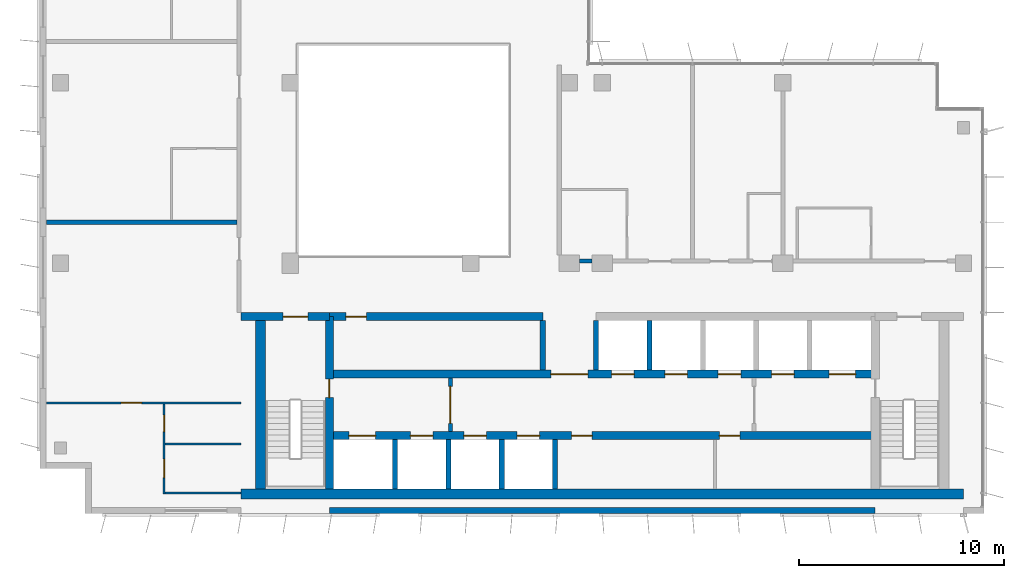
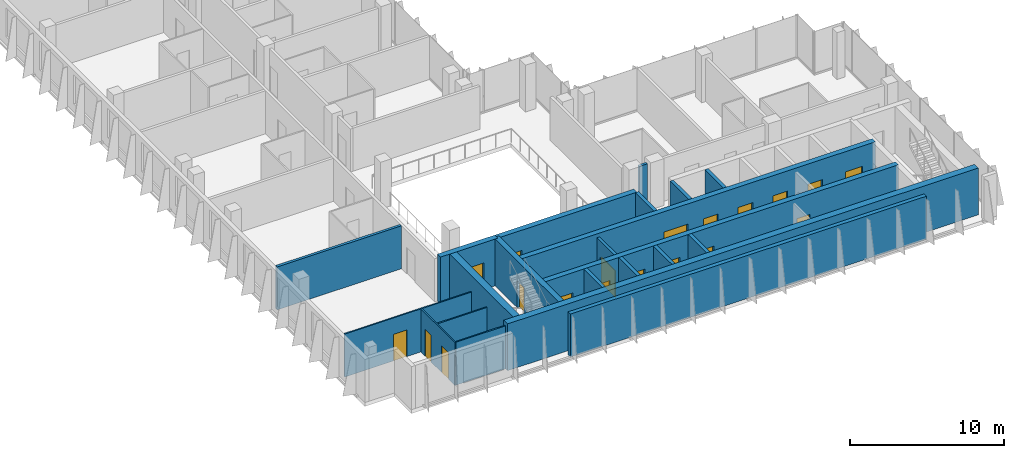
# One storey, part 9 of 15: 22 walls, 19 doors, 19 openings.
"""IFC4 building model written with IfcOpenShell, lengths in metres."""

from ifc_helpers import new_model, si_unit, direction, frame, frame_2d, origin, place, context, subcontext, project, spatial, rectangle, extrude, material, layer, layer_set, type_object, element, fill, save


model = new_model("IFC4")

# Units and contexts
model_context = context("Model", 3, precision=1e-05, world=origin(), true_north=direction((0.0, 1.0)))
body_context = subcontext(model_context, "Body", "Model", "MODEL_VIEW")
ifc_project = project(units=[si_unit("LENGTHUNIT", "METRE"), si_unit("AREAUNIT", "SQUARE_METRE"), si_unit("VOLUMEUNIT", "CUBIC_METRE"), si_unit("PLANEANGLEUNIT", "RADIAN"), si_unit("MASSUNIT", "GRAM", prefix="KILO")], contexts=[model_context])

# Site, building, storey
site_placement = place(None, origin())
site = spatial("IfcSite", under=ifc_project, at=site_placement, CompositionType="ELEMENT")
building_placement = place(site_placement, origin())
building = spatial("IfcBuilding", under=site, at=building_placement, Name="Kemantara Hotel Tower", CompositionType="ELEMENT")
storey_placement = place(building_placement, frame((0.0, 0.0, 268.5)))
storey = spatial("IfcBuildingStorey", under=building, at=storey_placement, Name="L67", CompositionType="ELEMENT", Elevation=268.5)

# Walls
ifc_material_1 = material(Name="Bronze anodised aluminium cladding on insulated steel stud wall", Category="steel")
ifc_layer_1 = layer(ifc_material_1, 0.300048828125)
ifc_layer_set_1 = layer_set([ifc_layer_1], Name="Bronze anodised aluminium cladding on insulated steel stud wall")
wall_type_1 = type_object("IfcWallType", Name="BRONZE METAL-CLAD EXTERNAL WALL 300", PredefinedType="STANDARD", material=ifc_layer_set_1)
wall_1_placement = place(storey_placement, frame((14.10009765625, 0.14990234375, 0.0), z_axis=(0.0, 0.0, 1.0), x_axis=(1.0, 0.0, 0.0)))
element("IfcWall", 1, at=wall_1_placement, inside=storey, type_object=wall_type_1, Name="EXTERNAL WALL L67 T4-R08-2", PredefinedType="STANDARD", context=body_context, shape_type="SweptSolid", body=[
    extrude(rectangle(XDim=26.599853515625, YDim=0.300048828125, at=frame_2d((13.2998046875, 0.0))), origin(), (0.0, 0.0, 1.0), 3.39990234375),
])
ifc_material_2 = material(Name="Concrete fc 50 MPa", Category="concrete")
ifc_layer_2 = layer(ifc_material_2, 0.25)
ifc_layer_set_2 = layer_set([ifc_layer_2], Name="Concrete fc 50 MPa")
wall_type_2 = type_object("IfcWallType", Name="CORE WALL 250 FC50", PredefinedType="SHEAR", material=ifc_layer_set_2)
for number, where, z_axis, x_axis, name in (
    (2, (17.300048828125, 1.199951171875, 0.0), (0.0, 0.0, 1.0), (0.0, 1.0, 0.0), "CORE WALL CW-DS17.3"),
    (3, (19.89990234375, 1.199951171875, 0.0), (0.0, 0.0, 1.0), (0.0, 1.0, 0.0), "CORE WALL CW-DS19.9"),
    (4, (22.5, 1.199951171875, 0.0), (0.0, 0.0, 1.0), (0.0, 1.0, 0.0), "CORE WALL CW-DS22.5"),
    (5, (25.10009765625, 1.199951171875, 0.0), (0.0, 0.0, 1.0), (0.0, 1.0, 0.0), "CORE WALL CW-DS25.1"),
):
    element("IfcWall", number, at=place(storey_placement, frame(where, z_axis=z_axis, x_axis=x_axis)), inside=storey, type_object=wall_type_2, Name=name, PredefinedType="SHEAR", context=body_context, shape_type="SweptSolid", body=[
        extrude(rectangle(XDim=2.400146484375, YDim=0.25, at=frame_2d((1.2001953125, 0.0))), origin(), (0.0, 0.0, 1.0), 3.699951171875),
    ])
for number, where, z_axis, x_axis, name in (
    (6, (24.5, 7.0, 0.0), (0.0, 0.0, 1.0), (0.0, 1.0, 0.0), "CORE WALL CW-DN24.5"),
    (7, (27.10009765625, 7.0, 0.0), (0.0, 0.0, 1.0), (0.0, 1.0, 0.0), "CORE WALL CW-DN27.1"),
    (8, (29.699951171875, 7.0, 0.0), (0.0, 0.0, 1.0), (0.0, 1.0, 0.0), "CORE WALL CW-DN29.7"),
):
    element("IfcWall", number, at=place(storey_placement, frame(where, z_axis=z_axis, x_axis=x_axis)), inside=storey, type_object=wall_type_2, Name=name, PredefinedType="SHEAR", context=body_context, shape_type="SweptSolid", body=[
        extrude(rectangle(XDim=2.39990234375, YDim=0.25, at=frame_2d((1.199951171875, 0.0))), origin(), (0.0, 0.0, 1.0), 3.699951171875),
    ])

# Wall, opening, door
ifc_layer_3 = layer(ifc_material_2, 0.39990234375)
ifc_layer_set_3 = layer_set([ifc_layer_3], Name="Concrete fc 50 MPa")
wall_type_3 = type_object("IfcWallType", Name="CORE WALL 400 FC50", PredefinedType="SHEAR", material=ifc_layer_set_3)
wall_2_placement = place(storey_placement, frame((9.800048828125, 9.60009765625, 0.0), z_axis=(0.0, 0.0, 1.0), x_axis=(1.0, 0.0, 0.0)))
wall_2 = element("IfcWall", 9, at=wall_2_placement, inside=storey, type_object=wall_type_3, Name="CORE WALL CW-N1", PredefinedType="SHEAR", context=body_context, shape_type="SweptSolid", body=[
    extrude(rectangle(XDim=4.300048828125, YDim=0.39990234375, at=frame_2d((2.14990234375, 0.0))), origin(), (0.0, 0.0, 1.0), 3.699951171875),
])
opening_1_placement = place(wall_2_placement, frame((2.050048828125, 0.0, 0.0)))
opening_1 = element("IfcOpeningElement", 10, at=opening_1_placement, cuts=wall_2, Name="Opening C39-ST1-C", PredefinedType="OPENING", context=body_context, shape_type="SweptSolid", body=[
    extrude(rectangle(XDim=1.199951171875, YDim=2.10009765625, at=frame_2d((0.60009765625, 1.050048828125))), frame((0.0, 0.2099609375, 0.0), z_axis=(0.0, -1.0, 0.0), x_axis=(1.0, 0.0, 0.0)), (0.0, 0.0, 1.0), 0.419921875),
])
ifc_material_3 = material(Name="Steel fire door", Category="steel")
door_type_1 = type_object("IfcDoorType", Name="Fire door FD90 1200 x 2100", OperationType="NOTDEFINED", PredefinedType="DOOR", material=ifc_material_3)
door_1_placement = place(opening_1_placement, frame((1.199951171875, 0.0, 0.0), z_axis=(0.0, 0.0, 1.0), x_axis=(-1.0, 0.0, 0.0)))
door_1 = element("IfcDoor", 11, at=door_1_placement, inside=storey, type_object=door_type_1, Name="Stair ST1 door to corridor", OperationType="SINGLE_SWING_LEFT", OverallHeight=2.10009765625, OverallWidth=1.199951171875, PredefinedType="DOOR", context=body_context, shape_type="SweptSolid", body=[
    extrude(rectangle(XDim=1.199951171875, YDim=2.10009765625, at=frame_2d((0.60009765625, 1.050048828125))), frame((0.0, 0.02490234375, 0.0), z_axis=(0.0, -1.0, 0.0), x_axis=(1.0, 0.0, 0.0)), (0.0, 0.0, 1.0), 0.050048828125),
])
fill(opening_1, door_1)

wall_3_placement = place(storey_placement, frame((14.10009765625, 9.60009765625, 0.0), z_axis=(0.0, 0.0, 1.0), x_axis=(1.0, 0.0, 0.0)))
wall_3 = element("IfcWall", 12, at=wall_3_placement, inside=storey, type_object=wall_type_3, Name="CORE WALL CW-NN1", PredefinedType="SHEAR", context=body_context, shape_type="SweptSolid", body=[
    extrude(rectangle(XDim=10.39990234375, YDim=0.39990234375, at=frame_2d((5.199951171875, 0.0))), origin(), (0.0, 0.0, 1.0), 3.699951171875),
])
opening_2_placement = place(wall_3_placement, frame((0.800048828125, 0.0, 0.0)))
opening_2 = element("IfcOpeningElement", 13, at=opening_2_placement, cuts=wall_3, Name="Opening C39-R-NW1", PredefinedType="OPENING", context=body_context, shape_type="SweptSolid", body=[
    extrude(rectangle(XDim=1.0, YDim=2.10009765625, at=frame_2d((0.5, 1.050048828125))), frame((0.0, 0.2099609375, 0.0), z_axis=(0.0, -1.0, 0.0), x_axis=(1.0, 0.0, 0.0)), (0.0, 0.0, 1.0), 0.419921875),
])
door_type_2 = type_object("IfcDoorType", Name="Fire door FD30S 1000 x 2100", OperationType="NOTDEFINED", PredefinedType="DOOR", material=ifc_material_3)
door_2_placement = place(opening_2_placement, frame((1.0, 0.0, 0.0), z_axis=(0.0, 0.0, 1.0), x_axis=(-1.0, 0.0, 0.0)))
door_2 = element("IfcDoor", 14, at=door_2_placement, inside=storey, type_object=door_type_2, Name="Housekeeping Store door", OperationType="SINGLE_SWING_RIGHT", OverallHeight=2.10009765625, OverallWidth=1.0, PredefinedType="DOOR", context=body_context, shape_type="SweptSolid", body=[
    extrude(rectangle(XDim=1.0, YDim=2.10009765625, at=frame_2d((0.5, 1.050048828125))), frame((0.0, 0.02490234375, 0.0), z_axis=(0.0, -1.0, 0.0), x_axis=(1.0, 0.0, 0.0)), (0.0, 0.0, 1.0), 0.050048828125),
])
fill(opening_2, door_2)

# Wall, openings, doors
wall_4_placement = place(storey_placement, frame((14.10009765625, 3.800048828125, 0.0), z_axis=(0.0, 0.0, 1.0), x_axis=(1.0, 0.0, 0.0)))
wall_4 = element("IfcWall", 15, at=wall_4_placement, inside=storey, type_object=wall_type_3, Name="CORE WALL CW-L1", PredefinedType="SHEAR", context=body_context, shape_type="SweptSolid", body=[
    extrude(rectangle(XDim=26.599853515625, YDim=0.39990234375, at=frame_2d((13.2998046875, 0.0))), origin(), (0.0, 0.0, 1.0), 3.699951171875),
])
opening_3_placement = place(wall_4_placement, frame((0.949951171875, 0.0, 0.0)))
opening_3 = element("IfcOpeningElement", 16, at=opening_3_placement, cuts=wall_4, Name="Opening C39-LD-FF1", PredefinedType="OPENING", context=body_context, shape_type="SweptSolid", body=[
    extrude(rectangle(XDim=1.300048828125, YDim=2.10009765625, at=frame_2d((0.64990234375, 1.050048828125))), frame((0.0, 0.2099609375, 0.0), z_axis=(0.0, -1.0, 0.0), x_axis=(1.0, 0.0, 0.0)), (0.0, 0.0, 1.0), 0.419921875),
])
opening_4_placement = place(wall_4_placement, frame((3.949951171875, 0.0, 0.0)))
opening_4 = element("IfcOpeningElement", 17, at=opening_4_placement, cuts=wall_4, Name="Opening C39-LD-SV1", PredefinedType="OPENING", context=body_context, shape_type="SweptSolid", body=[
    extrude(rectangle(XDim=1.10009765625, YDim=2.10009765625, at=frame_2d((0.550048828125, 1.050048828125))), frame((0.0, 0.2099609375, 0.0), z_axis=(0.0, -1.0, 0.0), x_axis=(1.0, 0.0, 0.0)), (0.0, 0.0, 1.0), 0.419921875),
])
opening_5_placement = place(wall_4_placement, frame((6.550048828125, 0.0, 0.0)))
opening_5 = element("IfcOpeningElement", 18, at=opening_5_placement, cuts=wall_4, Name="Opening C39-LD-SV2", PredefinedType="OPENING", context=body_context, shape_type="SweptSolid", body=[
    extrude(rectangle(XDim=1.10009765625, YDim=2.10009765625, at=frame_2d((0.550048828125, 1.050048828125))), frame((0.0, 0.2099609375, 0.0), z_axis=(0.0, -1.0, 0.0), x_axis=(1.0, 0.0, 0.0)), (0.0, 0.0, 1.0), 0.419921875),
])
opening_6_placement = place(wall_4_placement, frame((9.14990234375, 0.0, 0.0)))
opening_6 = element("IfcOpeningElement", 19, at=opening_6_placement, cuts=wall_4, Name="Opening C39-LD-SV3", PredefinedType="OPENING", context=body_context, shape_type="SweptSolid", body=[
    extrude(rectangle(XDim=1.10009765625, YDim=2.10009765625, at=frame_2d((0.550048828125, 1.050048828125))), frame((0.0, 0.2099609375, 0.0), z_axis=(0.0, -1.0, 0.0), x_axis=(1.0, 0.0, 0.0)), (0.0, 0.0, 1.0), 0.419921875),
])
opening_7_placement = place(wall_4_placement, frame((11.800048828125, 0.0, 0.0)))
opening_7 = element("IfcOpeningElement", 20, at=opening_7_placement, cuts=wall_4, Name="Opening C39-R-SM1", PredefinedType="OPENING", context=body_context, shape_type="SweptSolid", body=[
    extrude(rectangle(XDim=1.0, YDim=2.10009765625, at=frame_2d((0.5, 1.050048828125))), frame((0.0, 0.2099609375, 0.0), z_axis=(0.0, -1.0, 0.0), x_axis=(1.0, 0.0, 0.0)), (0.0, 0.0, 1.0), 0.419921875),
])
opening_8_placement = place(wall_4_placement, frame((19.0, 0.0, 0.0)))
opening_8 = element("IfcOpeningElement", 21, at=opening_8_placement, cuts=wall_4, Name="Opening C39-R-SM2", PredefinedType="OPENING", context=body_context, shape_type="SweptSolid", body=[
    extrude(rectangle(XDim=1.0, YDim=2.10009765625, at=frame_2d((0.5, 1.050048828125))), frame((0.0, 0.2099609375, 0.0), z_axis=(0.0, -1.0, 0.0), x_axis=(1.0, 0.0, 0.0)), (0.0, 0.0, 1.0), 0.419921875),
])
door_3_placement = place(opening_7_placement, frame((1.0, 0.0, 0.0), z_axis=(0.0, 0.0, 1.0), x_axis=(-1.0, 0.0, 0.0)))
door_3 = element("IfcDoor", 22, at=door_3_placement, inside=storey, type_object=door_type_2, Name="Staff Lounge door", OperationType="SINGLE_SWING_RIGHT", OverallHeight=2.10009765625, OverallWidth=1.0, PredefinedType="DOOR", context=body_context, shape_type="SweptSolid", body=[
    extrude(rectangle(XDim=1.0, YDim=2.10009765625, at=frame_2d((0.5, 1.050048828125))), frame((0.0, 0.02490234375, 0.0), z_axis=(0.0, -1.0, 0.0), x_axis=(1.0, 0.0, 0.0)), (0.0, 0.0, 1.0), 0.050048828125),
])
fill(opening_7, door_3)
door_4_placement = place(opening_8_placement, frame((1.0, 0.0, 0.0), z_axis=(0.0, 0.0, 1.0), x_axis=(-1.0, 0.0, 0.0)))
door_4 = element("IfcDoor", 23, at=door_4_placement, inside=storey, type_object=door_type_2, Name="Luggage Store door", OperationType="SINGLE_SWING_LEFT", OverallHeight=2.10009765625, OverallWidth=1.0, PredefinedType="DOOR", context=body_context, shape_type="SweptSolid", body=[
    extrude(rectangle(XDim=1.0, YDim=2.10009765625, at=frame_2d((0.5, 1.050048828125))), frame((0.0, 0.02490234375, 0.0), z_axis=(0.0, -1.0, 0.0), x_axis=(1.0, 0.0, 0.0)), (0.0, 0.0, 1.0), 0.050048828125),
])
fill(opening_8, door_4)
ifc_material_4 = material(Name="Stainless steel lift door", Category="steel")
door_type_3 = type_object("IfcDoorType", Name="Lift landing door 1100 x 2100 FD60", OperationType="DOUBLE_DOOR_SLIDING", PredefinedType="DOOR", material=ifc_material_4)
door_5_placement = place(opening_4_placement, origin())
door_5 = element("IfcDoor", 24, at=door_5_placement, inside=storey, type_object=door_type_3, Name="Lift SV1 landing door", OperationType="DOUBLE_DOOR_SLIDING", OverallHeight=2.10009765625, OverallWidth=1.10009765625, PredefinedType="DOOR", context=body_context, shape_type="SweptSolid", body=[
    extrude(rectangle(XDim=1.10009765625, YDim=2.10009765625, at=frame_2d((0.550048828125, 1.050048828125))), frame((0.0, 0.02490234375, 0.0), z_axis=(0.0, -1.0, 0.0), x_axis=(1.0, 0.0, 0.0)), (0.0, 0.0, 1.0), 0.050048828125),
])
fill(opening_4, door_5)
door_6_placement = place(opening_5_placement, origin())
door_6 = element("IfcDoor", 25, at=door_6_placement, inside=storey, type_object=door_type_3, Name="Lift SV2 landing door", OperationType="DOUBLE_DOOR_SLIDING", OverallHeight=2.10009765625, OverallWidth=1.10009765625, PredefinedType="DOOR", context=body_context, shape_type="SweptSolid", body=[
    extrude(rectangle(XDim=1.10009765625, YDim=2.10009765625, at=frame_2d((0.550048828125, 1.050048828125))), frame((0.0, 0.02490234375, 0.0), z_axis=(0.0, -1.0, 0.0), x_axis=(1.0, 0.0, 0.0)), (0.0, 0.0, 1.0), 0.050048828125),
])
fill(opening_5, door_6)
door_7_placement = place(opening_6_placement, origin())
door_7 = element("IfcDoor", 26, at=door_7_placement, inside=storey, type_object=door_type_3, Name="Lift SV3 landing door", OperationType="DOUBLE_DOOR_SLIDING", OverallHeight=2.10009765625, OverallWidth=1.10009765625, PredefinedType="DOOR", context=body_context, shape_type="SweptSolid", body=[
    extrude(rectangle(XDim=1.10009765625, YDim=2.10009765625, at=frame_2d((0.550048828125, 1.050048828125))), frame((0.0, 0.02490234375, 0.0), z_axis=(0.0, -1.0, 0.0), x_axis=(1.0, 0.0, 0.0)), (0.0, 0.0, 1.0), 0.050048828125),
])
fill(opening_6, door_7)
door_type_4 = type_object("IfcDoorType", Name="Lift landing door 1300 x 2100 FD90", OperationType="DOUBLE_DOOR_SLIDING", PredefinedType="DOOR", material=ifc_material_4)
door_8_placement = place(opening_3_placement, origin())
door_8 = element("IfcDoor", 27, at=door_8_placement, inside=storey, type_object=door_type_4, Name="Lift FF1 landing door", OperationType="DOUBLE_DOOR_SLIDING", OverallHeight=2.10009765625, OverallWidth=1.300048828125, PredefinedType="DOOR", context=body_context, shape_type="SweptSolid", body=[
    extrude(rectangle(XDim=1.300048828125, YDim=2.10009765625, at=frame_2d((0.64990234375, 1.050048828125))), frame((0.0, 0.02490234375, 0.0), z_axis=(0.0, -1.0, 0.0), x_axis=(1.0, 0.0, 0.0)), (0.0, 0.0, 1.0), 0.050048828125),
])
fill(opening_3, door_8)

wall_5_placement = place(storey_placement, frame((14.10009765625, 6.800048828125, 0.0), z_axis=(0.0, 0.0, 1.0), x_axis=(1.0, 0.0, 0.0)))
wall_5 = element("IfcWall", 28, at=wall_5_placement, inside=storey, type_object=wall_type_3, Name="CORE WALL CW-L2", PredefinedType="SHEAR", context=body_context, shape_type="SweptSolid", body=[
    extrude(rectangle(XDim=26.599853515625, YDim=0.39990234375, at=frame_2d((13.2998046875, 0.0))), origin(), (0.0, 0.0, 1.0), 3.699951171875),
])
opening_9_placement = place(wall_5_placement, frame((10.800048828125, 0.0, 0.0)))
opening_9 = element("IfcOpeningElement", 29, at=opening_9_placement, cuts=wall_5, Name="Opening C39-VL", PredefinedType="OPENING", context=body_context, shape_type="SweptSolid", body=[
    extrude(rectangle(XDim=1.800048828125, YDim=2.10009765625, at=frame_2d((0.89990234375, 1.050048828125))), frame((0.0, 0.2099609375, 0.0), z_axis=(0.0, -1.0, 0.0), x_axis=(1.0, 0.0, 0.0)), (0.0, 0.0, 1.0), 0.419921875),
])
opening_10_placement = place(wall_5_placement, frame((13.75, 0.0, 0.0)))
opening_10 = element("IfcOpeningElement", 30, at=opening_10_placement, cuts=wall_5, Name="Opening C39-LD-HR1", PredefinedType="OPENING", context=body_context, shape_type="SweptSolid", body=[
    extrude(rectangle(XDim=1.10009765625, YDim=2.10009765625, at=frame_2d((0.550048828125, 1.050048828125))), frame((0.0, 0.2099609375, 0.0), z_axis=(0.0, -1.0, 0.0), x_axis=(1.0, 0.0, 0.0)), (0.0, 0.0, 1.0), 0.419921875),
])
opening_11_placement = place(wall_5_placement, frame((16.35009765625, 0.0, 0.0)))
opening_11 = element("IfcOpeningElement", 31, at=opening_11_placement, cuts=wall_5, Name="Opening C39-LD-HR2", PredefinedType="OPENING", context=body_context, shape_type="SweptSolid", body=[
    extrude(rectangle(XDim=1.10009765625, YDim=2.10009765625, at=frame_2d((0.550048828125, 1.050048828125))), frame((0.0, 0.2099609375, 0.0), z_axis=(0.0, -1.0, 0.0), x_axis=(1.0, 0.0, 0.0)), (0.0, 0.0, 1.0), 0.419921875),
])
opening_12_placement = place(wall_5_placement, frame((18.949951171875, 0.0, 0.0)))
opening_12 = element("IfcOpeningElement", 32, at=opening_12_placement, cuts=wall_5, Name="Opening C39-LD-HR3", PredefinedType="OPENING", context=body_context, shape_type="SweptSolid", body=[
    extrude(rectangle(XDim=1.10009765625, YDim=2.10009765625, at=frame_2d((0.550048828125, 1.050048828125))), frame((0.0, 0.2099609375, 0.0), z_axis=(0.0, -1.0, 0.0), x_axis=(1.0, 0.0, 0.0)), (0.0, 0.0, 1.0), 0.419921875),
])
opening_13_placement = place(wall_5_placement, frame((21.550048828125, 0.0, 0.0)))
opening_13 = element("IfcOpeningElement", 33, at=opening_13_placement, cuts=wall_5, Name="Opening C39-LD-HR4", PredefinedType="OPENING", context=body_context, shape_type="SweptSolid", body=[
    extrude(rectangle(XDim=1.10009765625, YDim=2.10009765625, at=frame_2d((0.550048828125, 1.050048828125))), frame((0.0, 0.2099609375, 0.0), z_axis=(0.0, -1.0, 0.0), x_axis=(1.0, 0.0, 0.0)), (0.0, 0.0, 1.0), 0.419921875),
])
opening_14_placement = place(wall_5_placement, frame((24.35009765625, 0.0, 0.0)))
opening_14 = element("IfcOpeningElement", 34, at=opening_14_placement, cuts=wall_5, Name="Opening C39-LD-FF2", PredefinedType="OPENING", context=body_context, shape_type="SweptSolid", body=[
    extrude(rectangle(XDim=1.300048828125, YDim=2.10009765625, at=frame_2d((0.64990234375, 1.050048828125))), frame((0.0, 0.2099609375, 0.0), z_axis=(0.0, -1.0, 0.0), x_axis=(1.0, 0.0, 0.0)), (0.0, 0.0, 1.0), 0.419921875),
])
door_type_5 = type_object("IfcDoorType", Name="Fire door pair FD60 1800 x 2100", OperationType="DOUBLE_DOOR_SINGLE_SWING", PredefinedType="DOOR", material=ifc_material_3)
door_9_placement = place(opening_9_placement, frame((1.800048828125, 0.0, 0.0), z_axis=(0.0, 0.0, 1.0), x_axis=(-1.0, 0.0, 0.0)))
door_9 = element("IfcDoor", 35, at=door_9_placement, inside=storey, type_object=door_type_5, Name="Lift lobby entry door", OperationType="DOUBLE_DOOR_SINGLE_SWING", OverallHeight=2.10009765625, OverallWidth=1.800048828125, PredefinedType="DOOR", context=body_context, shape_type="SweptSolid", body=[
    extrude(rectangle(XDim=1.800048828125, YDim=2.10009765625, at=frame_2d((0.89990234375, 1.050048828125))), frame((0.0, 0.02490234375, 0.0), z_axis=(0.0, -1.0, 0.0), x_axis=(1.0, 0.0, 0.0)), (0.0, 0.0, 1.0), 0.050048828125),
])
fill(opening_9, door_9)
door_10_placement = place(opening_10_placement, origin())
door_10 = element("IfcDoor", 36, at=door_10_placement, inside=storey, type_object=door_type_3, Name="Lift HR1 landing door", OperationType="DOUBLE_DOOR_SLIDING", OverallHeight=2.10009765625, OverallWidth=1.10009765625, PredefinedType="DOOR", context=body_context, shape_type="SweptSolid", body=[
    extrude(rectangle(XDim=1.10009765625, YDim=2.10009765625, at=frame_2d((0.550048828125, 1.050048828125))), frame((0.0, 0.02490234375, 0.0), z_axis=(0.0, -1.0, 0.0), x_axis=(1.0, 0.0, 0.0)), (0.0, 0.0, 1.0), 0.050048828125),
])
fill(opening_10, door_10)
door_11_placement = place(opening_11_placement, origin())
door_11 = element("IfcDoor", 37, at=door_11_placement, inside=storey, type_object=door_type_3, Name="Lift HR2 landing door", OperationType="DOUBLE_DOOR_SLIDING", OverallHeight=2.10009765625, OverallWidth=1.10009765625, PredefinedType="DOOR", context=body_context, shape_type="SweptSolid", body=[
    extrude(rectangle(XDim=1.10009765625, YDim=2.10009765625, at=frame_2d((0.550048828125, 1.050048828125))), frame((0.0, 0.02490234375, 0.0), z_axis=(0.0, -1.0, 0.0), x_axis=(1.0, 0.0, 0.0)), (0.0, 0.0, 1.0), 0.050048828125),
])
fill(opening_11, door_11)
door_12_placement = place(opening_12_placement, origin())
door_12 = element("IfcDoor", 38, at=door_12_placement, inside=storey, type_object=door_type_3, Name="Lift HR3 landing door", OperationType="DOUBLE_DOOR_SLIDING", OverallHeight=2.10009765625, OverallWidth=1.10009765625, PredefinedType="DOOR", context=body_context, shape_type="SweptSolid", body=[
    extrude(rectangle(XDim=1.10009765625, YDim=2.10009765625, at=frame_2d((0.550048828125, 1.050048828125))), frame((0.0, 0.02490234375, 0.0), z_axis=(0.0, -1.0, 0.0), x_axis=(1.0, 0.0, 0.0)), (0.0, 0.0, 1.0), 0.050048828125),
])
fill(opening_12, door_12)
door_13_placement = place(opening_13_placement, origin())
door_13 = element("IfcDoor", 39, at=door_13_placement, inside=storey, type_object=door_type_3, Name="Lift HR4 landing door", OperationType="DOUBLE_DOOR_SLIDING", OverallHeight=2.10009765625, OverallWidth=1.10009765625, PredefinedType="DOOR", context=body_context, shape_type="SweptSolid", body=[
    extrude(rectangle(XDim=1.10009765625, YDim=2.10009765625, at=frame_2d((0.550048828125, 1.050048828125))), frame((0.0, 0.02490234375, 0.0), z_axis=(0.0, -1.0, 0.0), x_axis=(1.0, 0.0, 0.0)), (0.0, 0.0, 1.0), 0.050048828125),
])
fill(opening_13, door_13)
door_14_placement = place(opening_14_placement, origin())
door_14 = element("IfcDoor", 40, at=door_14_placement, inside=storey, type_object=door_type_4, Name="Lift FF2 landing door", OperationType="DOUBLE_DOOR_SLIDING", OverallHeight=2.10009765625, OverallWidth=1.300048828125, PredefinedType="DOOR", context=body_context, shape_type="SweptSolid", body=[
    extrude(rectangle(XDim=1.300048828125, YDim=2.10009765625, at=frame_2d((0.64990234375, 1.050048828125))), frame((0.0, 0.02490234375, 0.0), z_axis=(0.0, -1.0, 0.0), x_axis=(1.0, 0.0, 0.0)), (0.0, 0.0, 1.0), 0.050048828125),
])
fill(opening_14, door_14)

# Wall, opening, door
wall_6_placement = place(storey_placement, frame((14.10009765625, 1.199951171875, 0.0), z_axis=(0.0, 0.0, 1.0), x_axis=(0.0, 1.0, 0.0)))
wall_6 = element("IfcWall", 41, at=wall_6_placement, inside=storey, type_object=wall_type_3, Name="CORE WALL CW-ST1E", PredefinedType="SHEAR", context=body_context, shape_type="SweptSolid", body=[
    extrude(rectangle(XDim=8.400146484375, YDim=0.39990234375, at=frame_2d((4.2001953125, 0.0))), origin(), (0.0, 0.0, 1.0), 3.699951171875),
])
opening_15_placement = place(wall_6_placement, frame((4.449951171875, 0.0, 0.0)))
opening_15 = element("IfcOpeningElement", 42, at=opening_15_placement, cuts=wall_6, Name="Opening C39-ST1-F", PredefinedType="OPENING", context=body_context, shape_type="SweptSolid", body=[
    extrude(rectangle(XDim=0.89990234375, YDim=2.10009765625, at=frame_2d((0.449951171875, 1.050048828125))), frame((0.0, 0.2099609375, 0.0), z_axis=(0.0, -1.0, 0.0), x_axis=(1.0, 0.0, 0.0)), (0.0, 0.0, 1.0), 0.419921875),
])
door_type_6 = type_object("IfcDoorType", Name="Fire door FD90 900 x 2100", OperationType="NOTDEFINED", PredefinedType="DOOR", material=ifc_material_3)
door_15_placement = place(opening_15_placement, origin())
door_15 = element("IfcDoor", 43, at=door_15_placement, inside=storey, type_object=door_type_6, Name="Stair ST1 door to firefighting lobby", OperationType="SINGLE_SWING_RIGHT", OverallHeight=2.10009765625, OverallWidth=0.89990234375, PredefinedType="DOOR", context=body_context, shape_type="SweptSolid", body=[
    extrude(rectangle(XDim=0.89990234375, YDim=2.10009765625, at=frame_2d((0.449951171875, 1.050048828125))), frame((0.0, 0.02490234375, 0.0), z_axis=(0.0, -1.0, 0.0), x_axis=(1.0, 0.0, 0.0)), (0.0, 0.0, 1.0), 0.050048828125),
])
fill(opening_15, door_15)

# Walls
ifc_layer_4 = layer(ifc_material_2, 0.5)
ifc_layer_set_4 = layer_set([ifc_layer_4], Name="Concrete fc 50 MPa")
wall_type_4 = type_object("IfcWallType", Name="CORE WALL 500 FC50", PredefinedType="SHEAR", material=ifc_layer_set_4)
wall_7_placement = place(storey_placement, frame((9.800048828125, 0.949951171875, 0.0), z_axis=(0.0, 0.0, 1.0), x_axis=(1.0, 0.0, 0.0)))
element("IfcWall", 44, at=wall_7_placement, inside=storey, type_object=wall_type_4, Name="CORE WALL CW-S", PredefinedType="SHEAR", context=body_context, shape_type="SweptSolid", body=[
    extrude(rectangle(XDim=35.199951171875, YDim=0.5, at=frame_2d((17.60009765625, 0.0))), origin(), (0.0, 0.0, 1.0), 3.699951171875),
])
wall_8_placement = place(storey_placement, frame((10.75, 1.199951171875, 0.0), z_axis=(0.0, 0.0, 1.0), x_axis=(0.0, 1.0, 0.0)))
element("IfcWall", 45, at=wall_8_placement, inside=storey, type_object=wall_type_4, Name="CORE WALL CW-W", PredefinedType="SHEAR", context=body_context, shape_type="SweptSolid", body=[
    extrude(rectangle(XDim=8.60009765625, YDim=0.5, at=frame_2d((4.300048828125, 0.0))), origin(), (0.0, 0.0, 1.0), 3.699951171875),
])
ifc_material_5 = material(Name="Gypsum board partition, steel studs and mineral wool, 200 mm", Category="steel")
ifc_layer_5 = layer(ifc_material_5, 0.199951171875)
ifc_layer_set_5 = layer_set([ifc_layer_5], Name="Gypsum board partition, steel studs and mineral wool, 200 mm")
wall_type_5 = type_object("IfcWallType", Name="CORRIDOR WALL 200", PredefinedType="PARTITIONING", material=ifc_layer_set_5)
wall_9_placement = place(storey_placement, frame((26.300048828125, 12.300048828125, 0.0), z_axis=(0.0, 0.0, 1.0), x_axis=(1.0, 0.0, 0.0)))
element("IfcWall", 46, at=wall_9_placement, inside=storey, type_object=wall_type_5, Name="CORRIDOR WALL 200 001", PredefinedType="PARTITIONING", context=body_context, shape_type="SweptSolid", body=[
    extrude(rectangle(XDim=0.599853515625, YDim=0.199951171875, at=frame_2d((0.2998046875, 0.0))), origin(), (0.0, 0.0, 1.0), 3.39990234375),
])
ifc_layer_6 = layer(ifc_material_5, 0.199951171875)
ifc_layer_set_6 = layer_set([ifc_layer_6], Name="Gypsum board partition, steel studs and mineral wool, 200 mm")
wall_type_6 = type_object("IfcWallType", Name="GUEST ROOM PARTY WALL 200", PredefinedType="PARTITIONING", material=ifc_layer_set_6)
wall_10_placement = place(storey_placement, frame((0.31005859375, 14.199951171875, 0.0), z_axis=(0.0, 0.0, 1.0), x_axis=(1.0, 0.0, 0.0)))
element("IfcWall", 47, at=wall_10_placement, inside=storey, type_object=wall_type_6, Name="GUEST ROOM PARTY WALL 200 009", PredefinedType="PARTITIONING", context=body_context, shape_type="SweptSolid", body=[
    extrude(rectangle(XDim=9.2900390625, YDim=0.199951171875, at=frame_2d((4.64501953125, 0.0))), origin(), (0.0, 0.0, 1.0), 3.39990234375),
])

# Wall, opening, door
ifc_material_6 = material(Name="Gypsum board shaft wall")
ifc_layer_7 = layer(ifc_material_6, 0.199951171875)
ifc_layer_set_7 = layer_set([ifc_layer_7], Name="Gypsum board shaft wall")
wall_type_7 = type_object("IfcWallType", Name="Gypsum board shaft wall 200 mm", PredefinedType="PARTITIONING", material=ifc_layer_set_7)
wall_11_placement = place(storey_placement, frame((20.0, 4.0, 0.0), z_axis=(0.0, 0.0, 1.0), x_axis=(0.0, 1.0, 0.0)))
wall_11 = element("IfcWall", 48, at=wall_11_placement, inside=storey, type_object=wall_type_7, Name="Firefighting lobby partition west", PredefinedType="PARTITIONING", context=body_context, shape_type="SweptSolid", body=[
    extrude(rectangle(XDim=2.60009765625, YDim=0.199951171875, at=frame_2d((1.300048828125, 0.0))), origin(), (0.0, 0.0, 1.0), 3.39990234375),
])
opening_16_placement = place(wall_11_placement, frame((0.39990234375, 0.0, 0.0)))
opening_16 = element("IfcOpeningElement", 49, at=opening_16_placement, cuts=wall_11, Name="Opening C39-FFW", PredefinedType="OPENING", context=body_context, shape_type="SweptSolid", body=[
    extrude(rectangle(XDim=1.800048828125, YDim=2.10009765625, at=frame_2d((0.89990234375, 1.050048828125))), frame((0.0, 0.10986328125, 0.0), z_axis=(0.0, -1.0, 0.0), x_axis=(1.0, 0.0, 0.0)), (0.0, 0.0, 1.0), 0.219970703125),
])
door_16_placement = place(opening_16_placement, origin())
door_16 = element("IfcDoor", 50, at=door_16_placement, inside=storey, type_object=door_type_5, Name="Firefighting lobby door west", OperationType="DOUBLE_DOOR_SINGLE_SWING", OverallHeight=2.10009765625, OverallWidth=1.800048828125, PredefinedType="DOOR", context=body_context, shape_type="SweptSolid", body=[
    extrude(rectangle(XDim=1.800048828125, YDim=2.10009765625, at=frame_2d((0.89990234375, 1.050048828125))), frame((0.0, 0.02490234375, 0.0), z_axis=(0.0, -1.0, 0.0), x_axis=(1.0, 0.0, 0.0)), (0.0, 0.0, 1.0), 0.050048828125),
])
fill(opening_16, door_16)

# Wall, openings, doors
ifc_material_7 = material(Name="Gypsum board partition on steel studs, 100 mm", Category="steel")
ifc_layer_8 = layer(ifc_material_7, 0.10009765625)
ifc_layer_set_8 = layer_set([ifc_layer_8], Name="Gypsum board partition on steel studs, 100 mm")
wall_type_8 = type_object("IfcWallType", Name="ROOM PARTITION 100", PredefinedType="PARTITIONING", material=ifc_layer_set_8)
wall_12_placement = place(storey_placement, frame((6.050048828125, 5.35009765625, 0.0), z_axis=(0.0, 0.0, 1.0), x_axis=(0.0, -1.0, 0.0)))
wall_12 = element("IfcWall", 51, at=wall_12_placement, inside=storey, type_object=wall_type_8, Name="ROOM PARTITION 100 032", PredefinedType="PARTITIONING", context=body_context, shape_type="SweptSolid", body=[
    extrude(rectangle(XDim=4.400146484375, YDim=0.10009765625, at=frame_2d((2.2001953125, 0.0))), origin(), (0.0, 0.0, 1.0), 3.39990234375),
])
opening_17_placement = place(wall_12_placement, frame((2.699951171875, 0.0, 0.0)))
opening_17 = element("IfcOpeningElement", 52, at=opening_17_placement, cuts=wall_12, Name="Opening F33-009", PredefinedType="OPENING", context=body_context, shape_type="SweptSolid", body=[
    extrude(rectangle(XDim=0.89990234375, YDim=2.10009765625, at=frame_2d((0.449951171875, 1.050048828125))), frame((0.0, 0.06005859375, 0.0), z_axis=(0.0, -1.0, 0.0), x_axis=(1.0, 0.0, 0.0)), (0.0, 0.0, 1.0), 0.1201171875),
])
opening_18_placement = place(wall_12_placement, frame((0.550048828125, 0.0, 0.0)))
opening_18 = element("IfcOpeningElement", 53, at=opening_18_placement, cuts=wall_12, Name="Opening F33-010", PredefinedType="OPENING", context=body_context, shape_type="SweptSolid", body=[
    extrude(rectangle(XDim=0.800048828125, YDim=2.10009765625, at=frame_2d((0.39990234375, 1.050048828125))), frame((0.0, 0.06005859375, 0.0), z_axis=(0.0, -1.0, 0.0), x_axis=(1.0, 0.0, 0.0)), (0.0, 0.0, 1.0), 0.1201171875),
])
ifc_material_8 = material(Name="Hardwood veneer door leaf with steel frame", Category="steel")
door_type_7 = type_object("IfcDoorType", Name="BATHROOM DOOR 900 X 2100", OperationType="NOTDEFINED", PredefinedType="DOOR", material=ifc_material_8)
door_17_placement = place(opening_17_placement, origin())
door_17 = element("IfcDoor", 54, at=door_17_placement, inside=storey, type_object=door_type_7, Name="BATHROOM DOOR F33-009", OperationType="SINGLE_SWING_LEFT", OverallHeight=2.10009765625, OverallWidth=0.89990234375, PredefinedType="DOOR", context=body_context, shape_type="SweptSolid", body=[
    extrude(rectangle(XDim=0.89990234375, YDim=2.10009765625, at=frame_2d((0.449951171875, 1.050048828125))), frame((0.0, 0.02490234375, 0.0), z_axis=(0.0, -1.0, 0.0), x_axis=(1.0, 0.0, 0.0)), (0.0, 0.0, 1.0), 0.050048828125),
])
fill(opening_17, door_17)
door_type_8 = type_object("IfcDoorType", Name="WARDROBE DOOR 800 X 2100", OperationType="NOTDEFINED", PredefinedType="DOOR", material=ifc_material_8)
door_18_placement = place(opening_18_placement, origin())
door_18 = element("IfcDoor", 55, at=door_18_placement, inside=storey, type_object=door_type_8, Name="WARDROBE DOOR F33-010", OperationType="SINGLE_SWING_LEFT", OverallHeight=2.10009765625, OverallWidth=0.800048828125, PredefinedType="DOOR", context=body_context, shape_type="SweptSolid", body=[
    extrude(rectangle(XDim=0.800048828125, YDim=2.10009765625, at=frame_2d((0.39990234375, 1.050048828125))), frame((0.0, 0.02490234375, 0.0), z_axis=(0.0, -1.0, 0.0), x_axis=(1.0, 0.0, 0.0)), (0.0, 0.0, 1.0), 0.050048828125),
])
fill(opening_18, door_18)

# Wall, opening, door
wall_13_placement = place(storey_placement, frame((9.7998046875, 5.39990234375, 0.0), z_axis=(0.0, 0.0, 1.0), x_axis=(-1.0, 0.0, 0.0)))
wall_13 = element("IfcWall", 56, at=wall_13_placement, inside=storey, type_object=wall_type_8, Name="ROOM PARTITION 100 033", PredefinedType="PARTITIONING", context=body_context, shape_type="SweptSolid", body=[
    extrude(rectangle(XDim=9.48974609375, YDim=0.10009765625, at=frame_2d((4.744873046875, 0.0))), origin(), (0.0, 0.0, 1.0), 3.39990234375),
])
opening_19_placement = place(wall_13_placement, frame((4.849853515625, 0.0, 0.0)))
opening_19 = element("IfcOpeningElement", 57, at=opening_19_placement, cuts=wall_13, Name="Opening F33-008", PredefinedType="OPENING", context=body_context, shape_type="SweptSolid", body=[
    extrude(rectangle(XDim=1.0, YDim=2.10009765625, at=frame_2d((0.5, 1.050048828125))), frame((0.0, 0.06005859375, 0.0), z_axis=(0.0, -1.0, 0.0), x_axis=(1.0, 0.0, 0.0)), (0.0, 0.0, 1.0), 0.1201171875),
])
door_type_9 = type_object("IfcDoorType", Name="INTERNAL DOOR 1000 X 2100", OperationType="NOTDEFINED", PredefinedType="DOOR", material=ifc_material_8)
door_19_placement = place(opening_19_placement, origin())
door_19 = element("IfcDoor", 58, at=door_19_placement, inside=storey, type_object=door_type_9, Name="INTERNAL DOOR F33-008", OperationType="SINGLE_SWING_LEFT", OverallHeight=2.10009765625, OverallWidth=1.0, PredefinedType="DOOR", context=body_context, shape_type="SweptSolid", body=[
    extrude(rectangle(XDim=1.0, YDim=2.10009765625, at=frame_2d((0.5, 1.050048828125))), frame((0.0, 0.02490234375, 0.0), z_axis=(0.0, -1.0, 0.0), x_axis=(1.0, 0.0, 0.0)), (0.0, 0.0, 1.0), 0.050048828125),
])
fill(opening_19, door_19)

# Walls
for number, where, z_axis, x_axis, name in (
    (59, (6.10009765625, 1.0, 0.0), (0.0, 0.0, 1.0), (1.0, 0.0, 0.0), "ROOM PARTITION 100 034"),
    (60, (6.10009765625, 3.39990234375, 0.0), (0.0, 0.0, 1.0), (1.0, 0.0, 0.0), "ROOM PARTITION 100 035"),
):
    element("IfcWall", number, at=place(storey_placement, frame(where, z_axis=z_axis, x_axis=x_axis)), inside=storey, type_object=wall_type_8, Name=name, PredefinedType="PARTITIONING", context=body_context, shape_type="SweptSolid", body=[
        extrude(rectangle(XDim=3.69970703125, YDim=0.10009765625, at=frame_2d((1.849853515625, 0.0))), origin(), (0.0, 0.0, 1.0), 3.39990234375),
    ])

save(model, "model.ifc")
